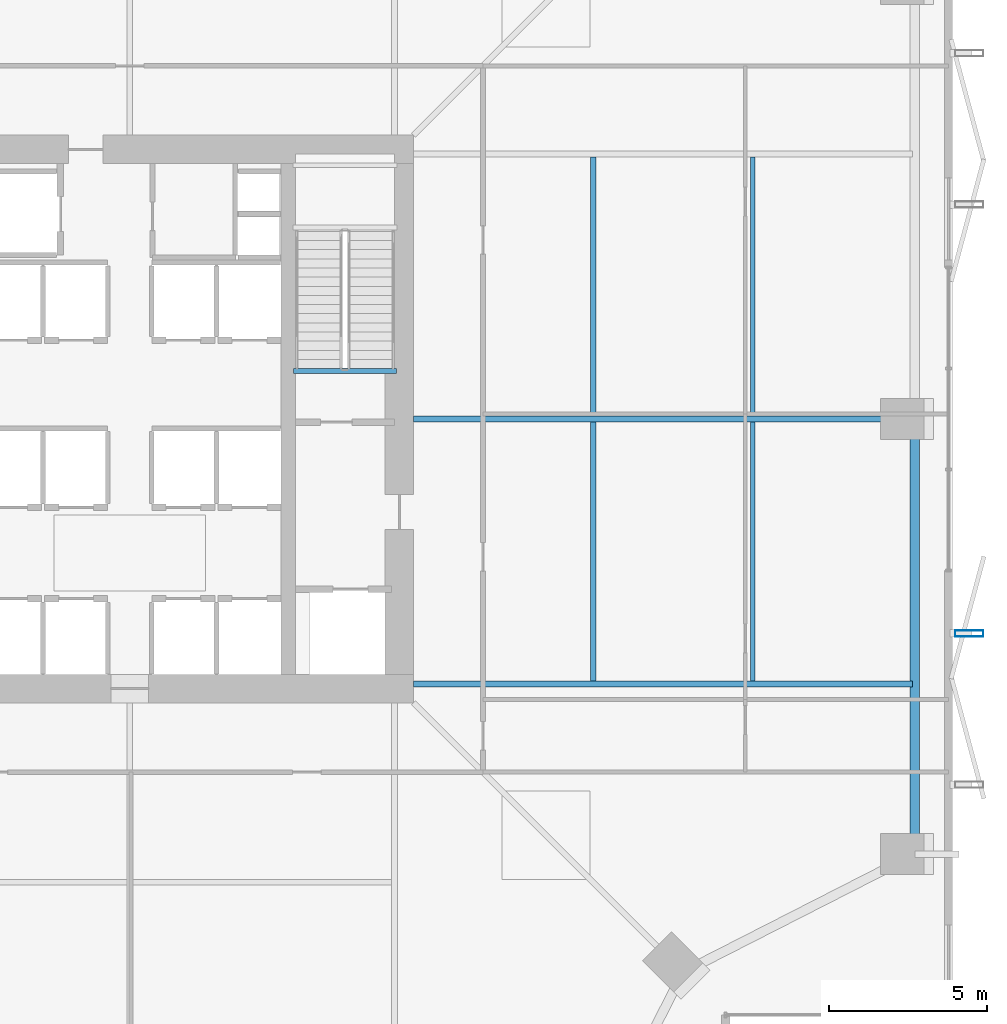
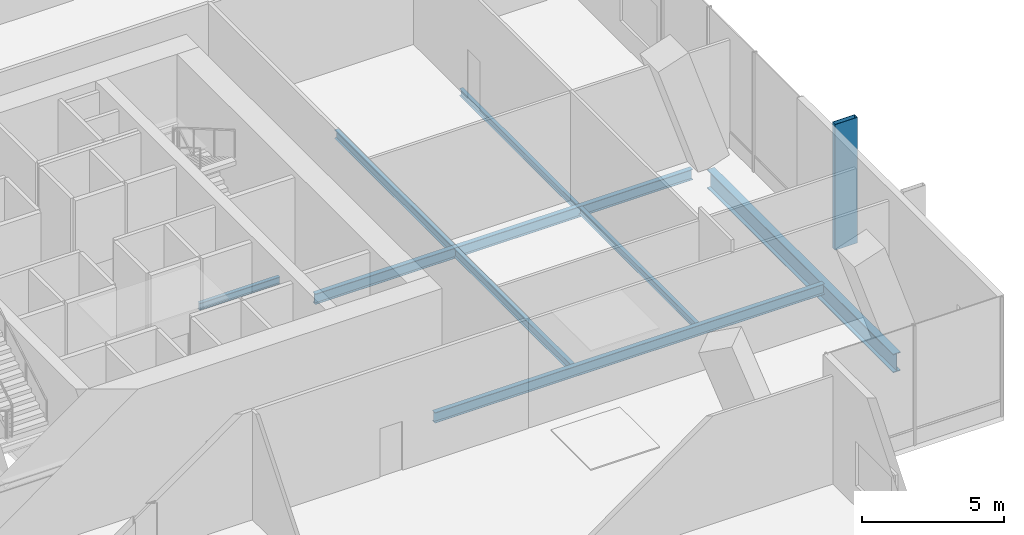
# One storey, part 13 of 28: 8 beams, 1 member.
"""IFC4 building model written with IfcOpenShell, lengths in metres."""

from ifc_helpers import new_model, si_unit, direction, frame, origin, origin_2d, place, context, subcontext, project, spatial, hollow_rectangle, i_section, extrude, material, material_profile, profile_set, type_object, element, save


model = new_model("IFC4")

# Units and contexts
model_context = context("Model", 3, precision=1e-05, world=origin(), true_north=direction((0.0, 1.0)))
body_context = subcontext(model_context, "Body", "Model", "MODEL_VIEW")
ifc_project = project(units=[si_unit("LENGTHUNIT", "METRE"), si_unit("AREAUNIT", "SQUARE_METRE"), si_unit("VOLUMEUNIT", "CUBIC_METRE"), si_unit("PLANEANGLEUNIT", "RADIAN"), si_unit("MASSUNIT", "GRAM", prefix="KILO")], contexts=[model_context])

# Site, building, storey
site_placement = place(None, origin())
site = spatial("IfcSite", under=ifc_project, at=site_placement, CompositionType="ELEMENT")
building_placement = place(site_placement, origin())
building = spatial("IfcBuilding", under=site, at=building_placement, Name="Belovzor Exchange Tower", CompositionType="ELEMENT")
storey_placement = place(building_placement, frame((0.0, 0.0, 132.89990234375)))
storey = spatial("IfcBuildingStorey", under=building, at=storey_placement, Name="L32", CompositionType="ELEMENT", Elevation=132.89990234375)

# Beams
ifc_material_1 = material(Name="Steel S355", Category="steel")
ifc_material_profile_1 = material_profile(ifc_material_1, i_section(OverallWidth=0.169921875, OverallDepth=0.360107421875, WebThickness=0.008056640625, FlangeThickness=0.0126953125, at=origin_2d()))
ifc_profile_set_1 = profile_set([ifc_material_profile_1], Name="Steel S355")
beam_type_1 = type_object("IfcBeamType", Name="Secondary Infill Floor Joist IPE 360", PredefinedType="BEAM", material=ifc_profile_set_1)
for number, where, z_axis, x_axis, name in (
    (1, (43.4970703125, 20.4951171875, -0.429931640625), (0.0, 1.0, 0.0), (-1.0, 0.0, 0.0), "FJ-360 Secondary Infill Floor Joist IPE 360"),
    (2, (43.4970703125, 28.89501953125, -0.429931640625), (0.0, 1.0, 0.0), (-1.0, 0.0, 0.0), "FJ-360 Secondary Infill Floor Joist IPE 360"),
):
    element("IfcBeam", number, at=place(storey_placement, frame(where, z_axis=z_axis, x_axis=x_axis)), inside=storey, type_object=beam_type_1, Name=name, PredefinedType="BEAM", context=body_context, shape_type="SweptSolid", body=[
        extrude(i_section(OverallWidth=0.169921875, OverallDepth=0.360107421875, WebThickness=0.008056640625, FlangeThickness=0.0126953125, at=origin_2d()), origin(), (0.0, 0.0, 1.0), 8.2099609375),
    ])
ifc_material_2 = material(Name="Steel S355", Category="steel")
ifc_material_profile_2 = material_profile(ifc_material_2, i_section(OverallWidth=0.14990234375, OverallDepth=0.300048828125, WebThickness=0.007080078125, FlangeThickness=0.0107421875, at=origin_2d()))
ifc_profile_set_2 = profile_set([ifc_material_profile_2], Name="Steel S355")
beam_type_2 = type_object("IfcBeamType", Name="Secondary Trim Floor Joist IPE 300", PredefinedType="BEAM", material=ifc_profile_set_2)
beam_1_placement = place(storey_placement, frame((37.260009765625, 30.320068359375, -0.39990234375), z_axis=(-1.0, 0.0, 0.0), x_axis=(0.0, -1.0, 0.0)))
element("IfcBeam", 3, at=beam_1_placement, inside=storey, type_object=beam_type_2, Name="FJ-300 Secondary Trim Floor Joist IPE 300", PredefinedType="BEAM", context=body_context, shape_type="SweptSolid", body=[
    extrude(i_section(OverallWidth=0.14990234375, OverallDepth=0.300048828125, WebThickness=0.007080078125, FlangeThickness=0.0107421875, at=origin_2d()), origin(), (0.0, 0.0, 1.0), 3.27001953125),
])
for number, where, z_axis, x_axis, name in (
    (4, (48.56103515625, 20.4951171875, -0.39990234375), (0.0, 1.0, 0.0), (-1.0, 0.0, 0.0), "FJ-300 Secondary Trim Floor Joist IPE 300"),
    (5, (48.56103515625, 28.89501953125, -0.39990234375), (0.0, 1.0, 0.0), (-1.0, 0.0, 0.0), "FJ-300 Secondary Trim Floor Joist IPE 300"),
):
    element("IfcBeam", number, at=place(storey_placement, frame(where, z_axis=z_axis, x_axis=x_axis)), inside=storey, type_object=beam_type_2, Name=name, PredefinedType="BEAM", context=body_context, shape_type="SweptSolid", body=[
        extrude(i_section(OverallWidth=0.14990234375, OverallDepth=0.300048828125, WebThickness=0.007080078125, FlangeThickness=0.0107421875, at=origin_2d()), origin(), (0.0, 0.0, 1.0), 8.2099609375),
    ])
ifc_material_3 = material(Name="Steel S355", Category="steel")
ifc_material_profile_3 = material_profile(ifc_material_3, i_section(OverallWidth=0.300048828125, OverallDepth=0.800048828125, WebThickness=0.017578125, FlangeThickness=0.032958984375, at=origin_2d()))
ifc_profile_set_3 = profile_set([ifc_material_profile_3], Name="Steel S355")
beam_type_3 = type_object("IfcBeamType", Name="Sky-Lobby Primary Girder HEB 800", PredefinedType="BEAM", material=ifc_profile_set_3)
beam_2_placement = place(storey_placement, frame((53.699951171875, 15.35693359375, -0.64990234375), z_axis=(0.0, 1.0, 0.0), x_axis=(-1.0, 0.0, 0.0)))
element("IfcBeam", 6, at=beam_2_placement, inside=storey, type_object=beam_type_3, Name="SG-1 Sky-Lobby Primary Girder HEB 800", PredefinedType="BEAM", context=body_context, shape_type="SweptSolid", body=[
    extrude(i_section(OverallWidth=0.300048828125, OverallDepth=0.800048828125, WebThickness=0.017578125, FlangeThickness=0.032958984375, at=origin_2d()), origin(), (0.0, 0.0, 1.0), 13.0849609375),
])

# Member
ifc_material_4 = material(Name="Extruded Architectural Terracotta on Steel S355 Carrier", Category="masonry")
ifc_material_profile_4 = material_profile(ifc_material_4, hollow_rectangle(XDim=0.199951171875, YDim=0.89990234375, WallThickness=0.011962890625, at=origin_2d()))
ifc_profile_set_4 = profile_set([ifc_material_profile_4], Name="Extruded Architectural Terracotta on Steel S355 Carrier")
member_type = type_object("IfcMemberType", Name="Sweeping Terracotta Baguette Fin Assembly 1250", PredefinedType="USERDEFINED", material=ifc_profile_set_4)
member_placement = place(storey_placement, frame((55.425048828125, 22.0, -0.25), z_axis=(0.0, 0.0, 1.0), x_axis=(0.0, 1.0, 0.0)))
element("IfcMember", 7, at=member_placement, inside=storey, type_object=member_type, Name="FIN-TC125 Terracotta Facade Fin L32 E2", ObjectType="FIN", PredefinedType="USERDEFINED", context=body_context, shape_type="SweptSolid", body=[
    extrude(hollow_rectangle(XDim=0.199951171875, YDim=0.89990234375, WallThickness=0.011962890625, at=origin_2d()), origin(), (0.0, 0.0, 1.0), 5.39501953125),
])

# Beams
ifc_material_5 = material(Name="Steel S355", Category="steel")
ifc_material_profile_5 = material_profile(ifc_material_5, i_section(OverallWidth=0.18994140625, OverallDepth=0.449951171875, WebThickness=0.009521484375, FlangeThickness=0.0146484375, at=origin_2d()))
ifc_profile_set_5 = profile_set([ifc_material_profile_5], Name="Steel S355")
beam_type_4 = type_object("IfcBeamType", Name="Zone 2-4 Radial Composite Floor Beam IPE 450", PredefinedType="BEAM", material=ifc_profile_set_5)
beam_3_placement = place(storey_placement, frame((37.800048828125, 20.39990234375, -0.474853515625), z_axis=(1.0, 0.0, 0.0), x_axis=(0.0, 1.0, 0.0)))
element("IfcBeam", 8, at=beam_3_placement, inside=storey, type_object=beam_type_4, Name="FB-450 Zone 2-4 Radial Composite Floor Beam IPE 450", PredefinedType="BEAM", context=body_context, shape_type="SweptSolid", body=[
    extrude(i_section(OverallWidth=0.18994140625, OverallDepth=0.449951171875, WebThickness=0.009521484375, FlangeThickness=0.0146484375, at=origin_2d()), origin(), (0.0, 0.0, 1.0), 15.824951171875),
])
beam_4_placement = place(storey_placement, frame((37.800048828125, 28.800048828125, -0.474853515625), z_axis=(1.0, 0.0, 0.0), x_axis=(0.0, 1.0, 0.0)))
element("IfcBeam", 9, at=beam_4_placement, inside=storey, type_object=beam_type_4, Name="FB-450 Zone 2-4 Radial Composite Floor Beam IPE 450", PredefinedType="BEAM", context=body_context, shape_type="SweptSolid", body=[
    extrude(i_section(OverallWidth=0.18994140625, OverallDepth=0.449951171875, WebThickness=0.009521484375, FlangeThickness=0.0146484375, at=origin_2d()), origin(), (0.0, 0.0, 1.0), 15.327880859375),
])

save(model, "model.ifc")
